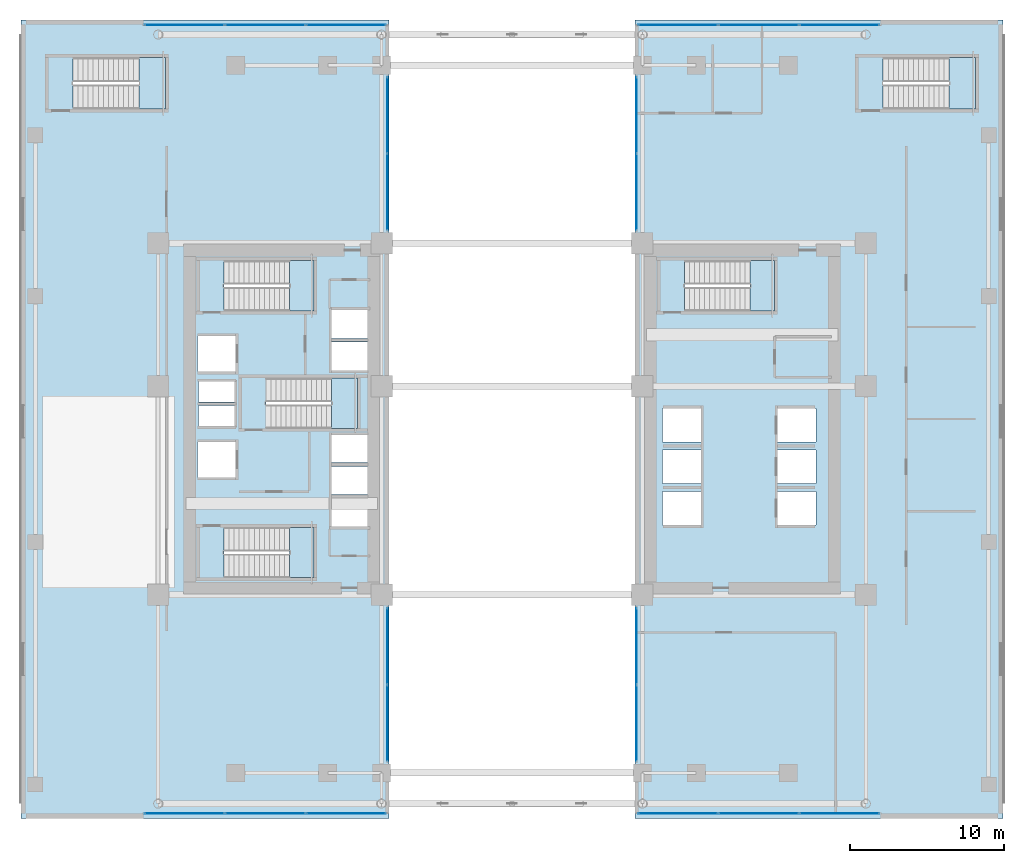
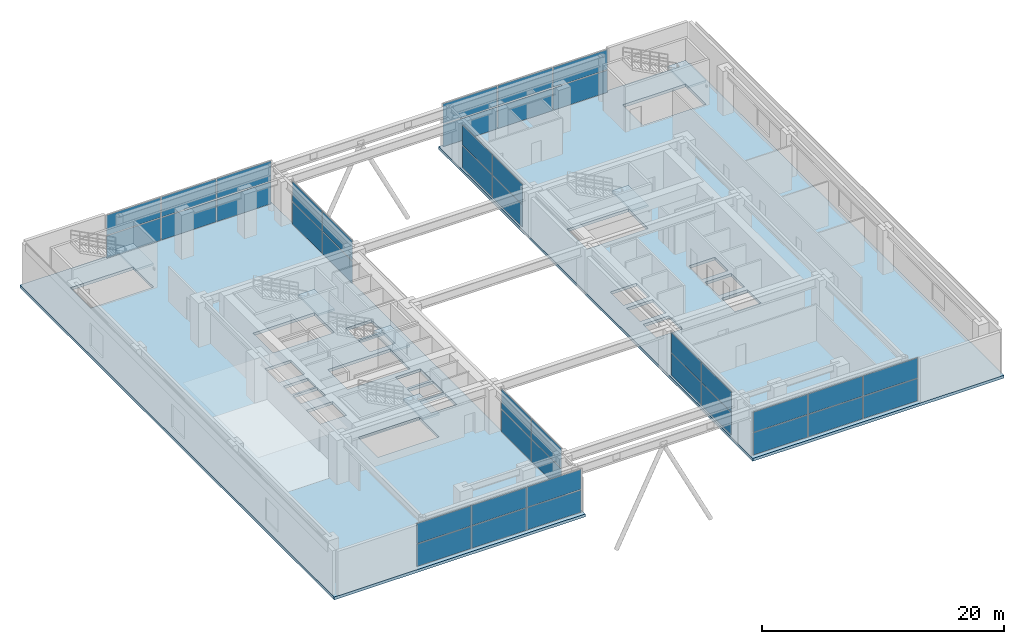
# One storey, part 20 of 30: 40 plates, 8 slabs, 14 elements without a shape of their own.
"""IFC4 building model written with IfcOpenShell, lengths in metres."""

from ifc_helpers import new_model, si_unit, direction, frame, origin, origin_2d, place, context, subcontext, project, spatial, polyline, rectangle, outline, extrude, source, transform, mapped, material, layer, layer_set, type_object, element, aggregate, save


model = new_model("IFC4")

# Units and contexts
model_context = context("Model", 3, precision=1e-05, world=origin(), true_north=direction((0.0, 1.0)))
body_context = subcontext(model_context, "Body", "Model", "MODEL_VIEW")
ifc_project = project(units=[si_unit("LENGTHUNIT", "METRE"), si_unit("AREAUNIT", "SQUARE_METRE"), si_unit("VOLUMEUNIT", "CUBIC_METRE"), si_unit("PLANEANGLEUNIT", "RADIAN"), si_unit("MASSUNIT", "GRAM", prefix="KILO")], contexts=[model_context])

# Site, building, storey
site_placement = place(None, origin())
site = spatial("IfcSite", under=ifc_project, at=site_placement, CompositionType="ELEMENT")
building_placement = place(site_placement, origin())
building = spatial("IfcBuilding", under=site, at=building_placement, Name="Ocotamira Hotel", CompositionType="ELEMENT")
storey_placement = place(building_placement, frame((0.0, 0.0, 19.199951171875)))
storey = spatial("IfcBuildingStorey", under=building, at=storey_placement, Name="L04", CompositionType="ELEMENT", Elevation=19.199951171875)

# Stair, slab
ifc_material_1 = material(Name="Concrete C40/50", Category="concrete")
stair_type_1 = type_object("IfcStairType", Name="ST-CORE-1560", PredefinedType="HALF_TURN_STAIR", material=ifc_material_1)
stair_1_placement = place(storey_placement, origin())
stair_1 = element("IfcStair", 1, at=stair_1_placement, inside=storey, type_object=stair_type_1, Name="L04 Exit Stair ST-1", PredefinedType="HALF_TURN_STAIR")
ifc_layer_1 = layer(ifc_material_1, 0.199951171875)
ifc_layer_set_1 = layer_set([ifc_layer_1], Name="Concrete C40/50")
slab_type_1 = type_object("IfcSlabType", Name="SLB-LAND-200", PredefinedType="LANDING", material=ifc_layer_set_1)
slab_1_placement = place(storey_placement, frame((0.0, 0.0, 2.199951171875)))
slab_1 = element("IfcSlab", 2, at=slab_1_placement, type_object=slab_type_1, Name="ST-1 landing 1", PredefinedType="LANDING", context=body_context, shape_type="SweptSolid", body=[
    extrude(outline(polyline([(17.52001953125, 15.669921875), (19.090087890625, 15.669921875), (19.090087890625, 18.949951171875), (17.52001953125, 18.949951171875), (17.52001953125, 15.669921875)])), origin(), (0.0, 0.0, 1.0), 0.2001953125),
])
aggregate(stair_1, [slab_1])

stair_2_placement = place(storey_placement, origin())
stair_2 = element("IfcStair", 3, at=stair_2_placement, inside=storey, type_object=stair_type_1, Name="L04 Exit Stair ST-2", PredefinedType="HALF_TURN_STAIR")
slab_2_placement = place(storey_placement, frame((0.0, 0.0, 2.199951171875)))
slab_2 = element("IfcSlab", 4, at=slab_2_placement, type_object=slab_type_1, Name="ST-2 landing 1", PredefinedType="LANDING", context=body_context, shape_type="SweptSolid", body=[
    extrude(outline(polyline([(17.52001953125, 33.050048828125), (19.090087890625, 33.050048828125), (19.090087890625, 36.330078125), (17.52001953125, 36.330078125), (17.52001953125, 33.050048828125)])), origin(), (0.0, 0.0, 1.0), 0.2001953125),
])
aggregate(stair_2, [slab_2])

stair_3_placement = place(storey_placement, origin())
stair_3 = element("IfcStair", 5, at=stair_3_placement, inside=storey, type_object=stair_type_1, Name="L04 Exit Stair ST-3", PredefinedType="HALF_TURN_STAIR")
slab_3_placement = place(storey_placement, frame((0.0, 0.0, 2.199951171875)))
slab_3 = element("IfcSlab", 6, at=slab_3_placement, type_object=slab_type_1, Name="ST-3 landing 1", PredefinedType="LANDING", context=body_context, shape_type="SweptSolid", body=[
    extrude(outline(polyline([(20.25, 25.39990234375), (21.919921875, 25.39990234375), (21.919921875, 28.679931640625), (20.25, 28.679931640625), (20.25, 25.39990234375)])), origin(), (0.0, 0.0, 1.0), 0.2001953125),
])
aggregate(stair_3, [slab_3])

stair_4_placement = place(storey_placement, origin())
stair_4 = element("IfcStair", 7, at=stair_4_placement, inside=storey, type_object=stair_type_1, Name="L04 Exit Stair ST-4", PredefinedType="HALF_TURN_STAIR")
slab_4_placement = place(storey_placement, frame((0.0, 0.0, 2.199951171875)))
slab_4 = element("IfcSlab", 8, at=slab_4_placement, type_object=slab_type_1, Name="ST-4 landing 1", PredefinedType="LANDING", context=body_context, shape_type="SweptSolid", body=[
    extrude(outline(polyline([(47.52001953125, 33.050048828125), (49.090087890625, 33.050048828125), (49.090087890625, 36.330078125), (47.52001953125, 36.330078125), (47.52001953125, 33.050048828125)])), origin(), (0.0, 0.0, 1.0), 0.2001953125),
])
aggregate(stair_4, [slab_4])

stair_type_2 = type_object("IfcStairType", Name="ST-POD-1600", PredefinedType="HALF_TURN_STAIR", material=ifc_material_1)
stair_5_placement = place(storey_placement, origin())
stair_5 = element("IfcStair", 9, at=stair_5_placement, inside=storey, type_object=stair_type_2, Name="L04 Exit Stair ST-5", PredefinedType="HALF_TURN_STAIR")
slab_5_placement = place(storey_placement, frame((0.0, 0.0, 2.199951171875)))
slab_5 = element("IfcSlab", 10, at=slab_5_placement, type_object=slab_type_1, Name="ST-5 landing 1", PredefinedType="LANDING", context=body_context, shape_type="SweptSolid", body=[
    extrude(outline(polyline([(7.68994140625, 46.199951171875), (9.419921875, 46.199951171875), (9.419921875, 49.56005859375), (7.68994140625, 49.56005859375), (7.68994140625, 46.199951171875)])), origin(), (0.0, 0.0, 1.0), 0.2001953125),
])
aggregate(stair_5, [slab_5])

stair_6_placement = place(storey_placement, origin())
stair_6 = element("IfcStair", 11, at=stair_6_placement, inside=storey, type_object=stair_type_2, Name="L04 Exit Stair ST-6", PredefinedType="HALF_TURN_STAIR")
slab_6_placement = place(storey_placement, frame((0.0, 0.0, 2.199951171875)))
slab_6 = element("IfcSlab", 12, at=slab_6_placement, type_object=slab_type_1, Name="ST-6 landing 1", PredefinedType="LANDING", context=body_context, shape_type="SweptSolid", body=[
    extrude(outline(polyline([(60.469970703125, 46.199951171875), (62.199951171875, 46.199951171875), (62.199951171875, 49.56005859375), (60.469970703125, 49.56005859375), (60.469970703125, 46.199951171875)])), origin(), (0.0, 0.0, 1.0), 0.2001953125),
])
aggregate(stair_6, [slab_6])

# Slabs
ifc_layer_2 = layer(ifc_material_1, 0.2900390625)
ifc_layer_set_2 = layer_set([ifc_layer_2], Name="Concrete C40/50")
slab_type_2 = type_object("IfcSlabType", Name="SLB-POD-290", PredefinedType="FLOOR", material=ifc_layer_set_2)
slab_7_placement = place(storey_placement, frame((0.0, 0.0, -0.2900390625)))
element("IfcSlab", 13, at=slab_7_placement, inside=storey, type_object=slab_type_2, Name="L04 Structural Floor Slab-P1", PredefinedType="FLOOR", context=body_context, shape_type="SweptSolid", body=[
    extrude(outline(polyline([(0.0, 0.0), (24.0, 0.0), (24.0, 52.0), (0.0, 52.0), (0.0, 0.0)]), holes=[polyline([(13.22998046875, 15.669921875), (19.090087890625, 15.669921875), (19.090087890625, 18.949951171875), (13.22998046875, 18.949951171875), (13.22998046875, 15.669921875)]), polyline([(13.22998046875, 33.050048828125), (19.090087890625, 33.050048828125), (19.090087890625, 36.330078125), (13.22998046875, 36.330078125), (13.22998046875, 33.050048828125)]), polyline([(15.9599609375, 25.39990234375), (21.919921875, 25.39990234375), (21.919921875, 28.679931640625), (15.9599609375, 28.679931640625), (15.9599609375, 25.39990234375)]), polyline([(3.39990234375, 46.199951171875), (9.419921875, 46.199951171875), (9.419921875, 49.56005859375), (3.39990234375, 49.56005859375), (3.39990234375, 46.199951171875)]), polyline([(20.25, 19.0), (22.659912109375, 19.0), (22.659912109375, 20.85009765625), (20.25, 20.85009765625), (20.25, 19.0)]), polyline([(20.25, 21.080078125), (22.659912109375, 21.080078125), (22.659912109375, 22.929931640625), (20.25, 22.929931640625), (20.25, 21.080078125)]), polyline([(20.25, 23.159912109375), (22.659912109375, 23.159912109375), (22.659912109375, 24.9599609375), (20.25, 24.9599609375), (20.25, 23.159912109375)]), polyline([(20.25, 29.179931640625), (22.659912109375, 29.179931640625), (22.659912109375, 31.030029296875), (20.25, 31.030029296875), (20.25, 29.179931640625)]), polyline([(20.25, 31.260009765625), (22.659912109375, 31.260009765625), (22.659912109375, 33.110107421875), (20.25, 33.110107421875), (20.25, 31.260009765625)]), polyline([(11.5, 22.199951171875), (14.0, 22.199951171875), (14.0, 24.5), (11.5, 24.5), (11.5, 22.199951171875)]), polyline([(11.5, 29.10009765625), (14.0, 29.10009765625), (14.0, 31.39990234375), (11.5, 31.39990234375), (11.5, 29.10009765625)]), polyline([(11.580078125, 25.550048828125), (13.919921875, 25.550048828125), (13.919921875, 26.89990234375), (11.580078125, 26.89990234375), (11.580078125, 25.550048828125)]), polyline([(11.580078125, 27.10009765625), (13.919921875, 27.10009765625), (13.919921875, 28.449951171875), (11.580078125, 28.449951171875), (11.580078125, 27.10009765625)])]), origin(), (0.0, 0.0, 1.0), 0.2900390625),
])
slab_8_placement = place(storey_placement, frame((0.0, 0.0, -0.2900390625)))
element("IfcSlab", 14, at=slab_8_placement, inside=storey, type_object=slab_type_2, Name="L04 Structural Floor Slab-P2", PredefinedType="FLOOR", context=body_context, shape_type="SweptSolid", body=[
    extrude(outline(polyline([(40.0, 0.0), (64.0, 0.0), (64.0, 52.0), (40.0, 52.0), (40.0, 0.0)]), holes=[polyline([(43.22998046875, 33.050048828125), (49.090087890625, 33.050048828125), (49.090087890625, 36.330078125), (43.22998046875, 36.330078125), (43.22998046875, 33.050048828125)]), polyline([(56.179931640625, 46.199951171875), (62.199951171875, 46.199951171875), (62.199951171875, 49.56005859375), (56.179931640625, 49.56005859375), (56.179931640625, 46.199951171875)]), polyline([(49.300048828125, 19.10009765625), (51.800048828125, 19.10009765625), (51.800048828125, 21.300048828125), (49.300048828125, 21.300048828125), (49.300048828125, 19.10009765625)]), polyline([(49.300048828125, 21.800048828125), (51.800048828125, 21.800048828125), (51.800048828125, 24.0), (49.300048828125, 24.0), (49.300048828125, 21.800048828125)]), polyline([(49.300048828125, 24.5), (51.800048828125, 24.5), (51.800048828125, 26.699951171875), (49.300048828125, 26.699951171875), (49.300048828125, 24.5)]), polyline([(41.800048828125, 19.10009765625), (44.300048828125, 19.10009765625), (44.300048828125, 21.300048828125), (41.800048828125, 21.300048828125), (41.800048828125, 19.10009765625)]), polyline([(41.800048828125, 21.800048828125), (44.300048828125, 21.800048828125), (44.300048828125, 24.0), (41.800048828125, 24.0), (41.800048828125, 21.800048828125)]), polyline([(41.800048828125, 24.5), (44.300048828125, 24.5), (44.300048828125, 26.699951171875), (41.800048828125, 26.699951171875), (41.800048828125, 24.5)])]), origin(), (0.0, 0.0, 1.0), 0.2900390625),
])

# Curtain wall, plates
ifc_material_2 = material(Name="Anodised pale-metal aluminium and solar glass", Category="aluminium")
ifc_layer_3 = layer(ifc_material_2, 0.219970703125)
ifc_layer_set_3 = layer_set([ifc_layer_3], Name="Anodised pale-metal aluminium and solar glass")
curtain_wall_type = type_object("IfcCurtainWallType", Name="CW-SYS1-POD", PredefinedType="NOTDEFINED", material=ifc_layer_set_3)
curtain_wall_1_placement = place(storey_placement, origin())
curtain_wall_1 = element("IfcCurtainWall", 15, at=curtain_wall_1_placement, inside=storey, type_object=curtain_wall_type, Name="L04 Curtain Wall CW-1 CW-L04-SE", PredefinedType="NOTDEFINED")
ifc_material_3 = material(Name="Double-silver low-E insulated solar glass", Category="glass")
ifc_layer_4 = layer(ifc_material_3, 0.031982421875)
ifc_layer_set_4 = layer_set([ifc_layer_4], Name="Double-silver low-E insulated solar glass")
plate_type = type_object("IfcPlateType", Name="CWP-VISION-32", PredefinedType="CURTAIN_PANEL", material=ifc_layer_set_4)
shared_shape_1 = source(origin(), body_context, "Body", "SweptSolid", [
    extrude(rectangle(XDim=5.163330078125, YDim=0.031982421875, at=origin_2d()), origin(), (0.0, 0.0, 1.0), 2.237548828125),
])
plate_1_placement = place(storey_placement, frame((42.811767578125, 0.320068359375, 0.0751953125), z_axis=(0.0, 0.0, 1.0), x_axis=(1.0, 0.0, 0.0)))
plate_1 = element("IfcPlate", 16, at=plate_1_placement, type_object=plate_type, Name="CW-1 panel 1.1", PredefinedType="CURTAIN_PANEL", context=body_context, shape_type="MappedRepresentation", body=[
    mapped(shared_shape_1, transform((0.0, 0.0, 0.0), scale=1.0)),
])
plate_2_placement = place(storey_placement, frame((53.33837890625, 0.320068359375, 0.0751953125), z_axis=(0.0, 0.0, 1.0), x_axis=(1.0, 0.0, 0.0)))
plate_2 = element("IfcPlate", 17, at=plate_2_placement, type_object=plate_type, Name="CW-1 panel 3.1", PredefinedType="CURTAIN_PANEL", context=body_context, shape_type="MappedRepresentation", body=[
    mapped(shared_shape_1, transform((0.0, 0.0, 0.0), scale=1.0)),
])

curtain_wall_2_placement = place(storey_placement, origin())
curtain_wall_2 = element("IfcCurtainWall", 18, at=curtain_wall_2_placement, inside=storey, type_object=curtain_wall_type, Name="L04 Curtain Wall CW-1 CW-L04-SW", PredefinedType="NOTDEFINED")
plate_3_placement = place(storey_placement, frame((10.66162109375, 0.320068359375, 0.0751953125), z_axis=(0.0, 0.0, 1.0), x_axis=(1.0, 0.0, 0.0)))
plate_3 = element("IfcPlate", 19, at=plate_3_placement, type_object=plate_type, Name="CW-1 panel 1.1", PredefinedType="CURTAIN_PANEL", context=body_context, shape_type="MappedRepresentation", body=[
    mapped(shared_shape_1, transform((0.0, 0.0, 0.0), scale=1.0)),
])
plate_4_placement = place(storey_placement, frame((21.188232421875, 0.320068359375, 0.0751953125), z_axis=(0.0, 0.0, 1.0), x_axis=(1.0, 0.0, 0.0)))
plate_4 = element("IfcPlate", 20, at=plate_4_placement, type_object=plate_type, Name="CW-1 panel 3.1", PredefinedType="CURTAIN_PANEL", context=body_context, shape_type="MappedRepresentation", body=[
    mapped(shared_shape_1, transform((0.0, 0.0, 0.0), scale=1.0)),
])

curtain_wall_3_placement = place(storey_placement, origin())
curtain_wall_3 = element("IfcCurtainWall", 21, at=curtain_wall_3_placement, inside=storey, type_object=curtain_wall_type, Name="L04 Curtain Wall CW-1 CW-L04-NE", PredefinedType="NOTDEFINED")
plate_5_placement = place(storey_placement, frame((42.811767578125, 51.679931640625, 0.0751953125), z_axis=(0.0, 0.0, 1.0), x_axis=(1.0, 0.0, 0.0)))
plate_5 = element("IfcPlate", 22, at=plate_5_placement, type_object=plate_type, Name="CW-1 panel 1.1", PredefinedType="CURTAIN_PANEL", context=body_context, shape_type="MappedRepresentation", body=[
    mapped(shared_shape_1, transform((0.0, 0.0, 0.0), scale=1.0)),
])
plate_6_placement = place(storey_placement, frame((53.33837890625, 51.679931640625, 0.0751953125), z_axis=(0.0, 0.0, 1.0), x_axis=(1.0, 0.0, 0.0)))
plate_6 = element("IfcPlate", 23, at=plate_6_placement, type_object=plate_type, Name="CW-1 panel 3.1", PredefinedType="CURTAIN_PANEL", context=body_context, shape_type="MappedRepresentation", body=[
    mapped(shared_shape_1, transform((0.0, 0.0, 0.0), scale=1.0)),
])

curtain_wall_4_placement = place(storey_placement, origin())
curtain_wall_4 = element("IfcCurtainWall", 24, at=curtain_wall_4_placement, inside=storey, type_object=curtain_wall_type, Name="L04 Curtain Wall CW-1 CW-L04-NW", PredefinedType="NOTDEFINED")
plate_7_placement = place(storey_placement, frame((10.66162109375, 51.679931640625, 0.0751953125), z_axis=(0.0, 0.0, 1.0), x_axis=(1.0, 0.0, 0.0)))
plate_7 = element("IfcPlate", 25, at=plate_7_placement, type_object=plate_type, Name="CW-1 panel 1.1", PredefinedType="CURTAIN_PANEL", context=body_context, shape_type="MappedRepresentation", body=[
    mapped(shared_shape_1, transform((0.0, 0.0, 0.0), scale=1.0)),
])
plate_8_placement = place(storey_placement, frame((21.188232421875, 51.679931640625, 0.0751953125), z_axis=(0.0, 0.0, 1.0), x_axis=(1.0, 0.0, 0.0)))
plate_8 = element("IfcPlate", 26, at=plate_8_placement, type_object=plate_type, Name="CW-1 panel 3.1", PredefinedType="CURTAIN_PANEL", context=body_context, shape_type="MappedRepresentation", body=[
    mapped(shared_shape_1, transform((0.0, 0.0, 0.0), scale=1.0)),
])

# Plate
shared_shape_2 = source(origin(), body_context, "Body", "SweptSolid", [
    extrude(rectangle(XDim=5.203369140625, YDim=0.031982421875, at=origin_2d()), origin(), (0.0, 0.0, 1.0), 2.237548828125),
])
plate_9_placement = place(storey_placement, frame((48.074951171875, 0.320068359375, 0.0751953125), z_axis=(0.0, 0.0, 1.0), x_axis=(1.0, 0.0, 0.0)))
plate_9 = element("IfcPlate", 27, at=plate_9_placement, type_object=plate_type, Name="CW-1 panel 2.1", PredefinedType="CURTAIN_PANEL", context=body_context, shape_type="MappedRepresentation", body=[
    mapped(shared_shape_2, transform((0.0, 0.0, 0.0), scale=1.0)),
])

plate_10_placement = place(storey_placement, frame((15.925048828125, 0.320068359375, 0.0751953125), z_axis=(0.0, 0.0, 1.0), x_axis=(1.0, 0.0, 0.0)))
plate_10 = element("IfcPlate", 28, at=plate_10_placement, type_object=plate_type, Name="CW-1 panel 2.1", PredefinedType="CURTAIN_PANEL", context=body_context, shape_type="MappedRepresentation", body=[
    mapped(shared_shape_2, transform((0.0, 0.0, 0.0), scale=1.0)),
])

plate_11_placement = place(storey_placement, frame((48.074951171875, 51.679931640625, 0.0751953125), z_axis=(0.0, 0.0, 1.0), x_axis=(1.0, 0.0, 0.0)))
plate_11 = element("IfcPlate", 29, at=plate_11_placement, type_object=plate_type, Name="CW-1 panel 2.1", PredefinedType="CURTAIN_PANEL", context=body_context, shape_type="MappedRepresentation", body=[
    mapped(shared_shape_2, transform((0.0, 0.0, 0.0), scale=1.0)),
])

plate_12_placement = place(storey_placement, frame((15.925048828125, 51.679931640625, 0.0751953125), z_axis=(0.0, 0.0, 1.0), x_axis=(1.0, 0.0, 0.0)))
plate_12 = element("IfcPlate", 30, at=plate_12_placement, type_object=plate_type, Name="CW-1 panel 2.1", PredefinedType="CURTAIN_PANEL", context=body_context, shape_type="MappedRepresentation", body=[
    mapped(shared_shape_2, transform((0.0, 0.0, 0.0), scale=1.0)),
])

# Curtain wall, plates
curtain_wall_5_placement = place(storey_placement, origin())
curtain_wall_5 = element("IfcCurtainWall", 31, at=curtain_wall_5_placement, inside=storey, type_object=curtain_wall_type, Name="L04 Curtain Wall CW-1 CW-L04-AW-S", PredefinedType="NOTDEFINED")
shared_shape_3 = source(origin(), body_context, "Body", "SweptSolid", [
    extrude(rectangle(XDim=4.929931640625, YDim=0.031982421875, at=origin_2d()), origin(), (0.0, 0.0, 1.0), 2.237548828125),
])
plate_13_placement = place(storey_placement, frame((23.8798828125, 6.195068359375, 0.0751953125), z_axis=(0.0, 0.0, 1.0), x_axis=(0.0, 1.0, 0.0)))
plate_13 = element("IfcPlate", 32, at=plate_13_placement, type_object=plate_type, Name="CW-1 panel 1.1", PredefinedType="CURTAIN_PANEL", context=body_context, shape_type="MappedRepresentation", body=[
    mapped(shared_shape_3, transform((0.0, 0.0, 0.0), scale=1.0)),
])
plate_14_placement = place(storey_placement, frame((23.8798828125, 11.205078125, 0.0751953125), z_axis=(0.0, 0.0, 1.0), x_axis=(0.0, 1.0, 0.0)))
plate_14 = element("IfcPlate", 33, at=plate_14_placement, type_object=plate_type, Name="CW-1 panel 2.1", PredefinedType="CURTAIN_PANEL", context=body_context, shape_type="MappedRepresentation", body=[
    mapped(shared_shape_3, transform((0.0, 0.0, 0.0), scale=1.0)),
])

curtain_wall_6_placement = place(storey_placement, origin())
curtain_wall_6 = element("IfcCurtainWall", 34, at=curtain_wall_6_placement, inside=storey, type_object=curtain_wall_type, Name="L04 Curtain Wall CW-1 CW-L04-AW-N", PredefinedType="NOTDEFINED")
plate_15_placement = place(storey_placement, frame((23.8798828125, 40.794921875, 0.0751953125), z_axis=(0.0, 0.0, 1.0), x_axis=(0.0, 1.0, 0.0)))
plate_15 = element("IfcPlate", 35, at=plate_15_placement, type_object=plate_type, Name="CW-1 panel 1.1", PredefinedType="CURTAIN_PANEL", context=body_context, shape_type="MappedRepresentation", body=[
    mapped(shared_shape_3, transform((0.0, 0.0, 0.0), scale=1.0)),
])
plate_16_placement = place(storey_placement, frame((23.8798828125, 45.804931640625, 0.0751953125), z_axis=(0.0, 0.0, 1.0), x_axis=(0.0, 1.0, 0.0)))
plate_16 = element("IfcPlate", 36, at=plate_16_placement, type_object=plate_type, Name="CW-1 panel 2.1", PredefinedType="CURTAIN_PANEL", context=body_context, shape_type="MappedRepresentation", body=[
    mapped(shared_shape_3, transform((0.0, 0.0, 0.0), scale=1.0)),
])

curtain_wall_7_placement = place(storey_placement, origin())
curtain_wall_7 = element("IfcCurtainWall", 37, at=curtain_wall_7_placement, inside=storey, type_object=curtain_wall_type, Name="L04 Curtain Wall CW-1 CW-L04-AE-S", PredefinedType="NOTDEFINED")
plate_17_placement = place(storey_placement, frame((40.1201171875, 6.195068359375, 0.0751953125), z_axis=(0.0, 0.0, 1.0), x_axis=(0.0, 1.0, 0.0)))
plate_17 = element("IfcPlate", 38, at=plate_17_placement, type_object=plate_type, Name="CW-1 panel 1.1", PredefinedType="CURTAIN_PANEL", context=body_context, shape_type="MappedRepresentation", body=[
    mapped(shared_shape_3, transform((0.0, 0.0, 0.0), scale=1.0)),
])
plate_18_placement = place(storey_placement, frame((40.1201171875, 11.205078125, 0.0751953125), z_axis=(0.0, 0.0, 1.0), x_axis=(0.0, 1.0, 0.0)))
plate_18 = element("IfcPlate", 39, at=plate_18_placement, type_object=plate_type, Name="CW-1 panel 2.1", PredefinedType="CURTAIN_PANEL", context=body_context, shape_type="MappedRepresentation", body=[
    mapped(shared_shape_3, transform((0.0, 0.0, 0.0), scale=1.0)),
])

curtain_wall_8_placement = place(storey_placement, origin())
curtain_wall_8 = element("IfcCurtainWall", 40, at=curtain_wall_8_placement, inside=storey, type_object=curtain_wall_type, Name="L04 Curtain Wall CW-1 CW-L04-AE-N", PredefinedType="NOTDEFINED")
plate_19_placement = place(storey_placement, frame((40.1201171875, 40.794921875, 0.0751953125), z_axis=(0.0, 0.0, 1.0), x_axis=(0.0, 1.0, 0.0)))
plate_19 = element("IfcPlate", 41, at=plate_19_placement, type_object=plate_type, Name="CW-1 panel 1.1", PredefinedType="CURTAIN_PANEL", context=body_context, shape_type="MappedRepresentation", body=[
    mapped(shared_shape_3, transform((0.0, 0.0, 0.0), scale=1.0)),
])
plate_20_placement = place(storey_placement, frame((40.1201171875, 45.804931640625, 0.0751953125), z_axis=(0.0, 0.0, 1.0), x_axis=(0.0, 1.0, 0.0)))
plate_20 = element("IfcPlate", 42, at=plate_20_placement, type_object=plate_type, Name="CW-1 panel 2.1", PredefinedType="CURTAIN_PANEL", context=body_context, shape_type="MappedRepresentation", body=[
    mapped(shared_shape_3, transform((0.0, 0.0, 0.0), scale=1.0)),
])

# Plate
shared_shape_4 = source(origin(), body_context, "Body", "SweptSolid", [
    extrude(rectangle(XDim=5.163330078125, YDim=0.031982421875, at=origin_2d()), origin(), (0.0, 0.0, 1.0), 2.017578125),
])
plate_21_placement = place(storey_placement, frame((42.811767578125, 0.320068359375, 2.387451171875), z_axis=(0.0, 0.0, 1.0), x_axis=(1.0, 0.0, 0.0)))
plate_21 = element("IfcPlate", 43, at=plate_21_placement, type_object=plate_type, Name="CW-1 panel 1.2", PredefinedType="CURTAIN_PANEL", context=body_context, shape_type="MappedRepresentation", body=[
    mapped(shared_shape_4, transform((0.0, 0.0, 0.0), scale=1.0)),
])

plate_22_placement = place(storey_placement, frame((53.33837890625, 0.320068359375, 2.387451171875), z_axis=(0.0, 0.0, 1.0), x_axis=(1.0, 0.0, 0.0)))
plate_22 = element("IfcPlate", 44, at=plate_22_placement, type_object=plate_type, Name="CW-1 panel 3.2", PredefinedType="CURTAIN_PANEL", context=body_context, shape_type="MappedRepresentation", body=[
    mapped(shared_shape_4, transform((0.0, 0.0, 0.0), scale=1.0)),
])

plate_23_placement = place(storey_placement, frame((10.66162109375, 0.320068359375, 2.387451171875), z_axis=(0.0, 0.0, 1.0), x_axis=(1.0, 0.0, 0.0)))
plate_23 = element("IfcPlate", 45, at=plate_23_placement, type_object=plate_type, Name="CW-1 panel 1.2", PredefinedType="CURTAIN_PANEL", context=body_context, shape_type="MappedRepresentation", body=[
    mapped(shared_shape_4, transform((0.0, 0.0, 0.0), scale=1.0)),
])

plate_24_placement = place(storey_placement, frame((21.188232421875, 0.320068359375, 2.387451171875), z_axis=(0.0, 0.0, 1.0), x_axis=(1.0, 0.0, 0.0)))
plate_24 = element("IfcPlate", 46, at=plate_24_placement, type_object=plate_type, Name="CW-1 panel 3.2", PredefinedType="CURTAIN_PANEL", context=body_context, shape_type="MappedRepresentation", body=[
    mapped(shared_shape_4, transform((0.0, 0.0, 0.0), scale=1.0)),
])

plate_25_placement = place(storey_placement, frame((42.811767578125, 51.679931640625, 2.387451171875), z_axis=(0.0, 0.0, 1.0), x_axis=(1.0, 0.0, 0.0)))
plate_25 = element("IfcPlate", 47, at=plate_25_placement, type_object=plate_type, Name="CW-1 panel 1.2", PredefinedType="CURTAIN_PANEL", context=body_context, shape_type="MappedRepresentation", body=[
    mapped(shared_shape_4, transform((0.0, 0.0, 0.0), scale=1.0)),
])

plate_26_placement = place(storey_placement, frame((53.33837890625, 51.679931640625, 2.387451171875), z_axis=(0.0, 0.0, 1.0), x_axis=(1.0, 0.0, 0.0)))
plate_26 = element("IfcPlate", 48, at=plate_26_placement, type_object=plate_type, Name="CW-1 panel 3.2", PredefinedType="CURTAIN_PANEL", context=body_context, shape_type="MappedRepresentation", body=[
    mapped(shared_shape_4, transform((0.0, 0.0, 0.0), scale=1.0)),
])

plate_27_placement = place(storey_placement, frame((10.66162109375, 51.679931640625, 2.387451171875), z_axis=(0.0, 0.0, 1.0), x_axis=(1.0, 0.0, 0.0)))
plate_27 = element("IfcPlate", 49, at=plate_27_placement, type_object=plate_type, Name="CW-1 panel 1.2", PredefinedType="CURTAIN_PANEL", context=body_context, shape_type="MappedRepresentation", body=[
    mapped(shared_shape_4, transform((0.0, 0.0, 0.0), scale=1.0)),
])

plate_28_placement = place(storey_placement, frame((21.188232421875, 51.679931640625, 2.387451171875), z_axis=(0.0, 0.0, 1.0), x_axis=(1.0, 0.0, 0.0)))
plate_28 = element("IfcPlate", 50, at=plate_28_placement, type_object=plate_type, Name="CW-1 panel 3.2", PredefinedType="CURTAIN_PANEL", context=body_context, shape_type="MappedRepresentation", body=[
    mapped(shared_shape_4, transform((0.0, 0.0, 0.0), scale=1.0)),
])

shared_shape_5 = source(origin(), body_context, "Body", "SweptSolid", [
    extrude(rectangle(XDim=5.203369140625, YDim=0.031982421875, at=origin_2d()), origin(), (0.0, 0.0, 1.0), 2.017578125),
])
plate_29_placement = place(storey_placement, frame((48.074951171875, 0.320068359375, 2.387451171875), z_axis=(0.0, 0.0, 1.0), x_axis=(1.0, 0.0, 0.0)))
plate_29 = element("IfcPlate", 51, at=plate_29_placement, type_object=plate_type, Name="CW-1 panel 2.2", PredefinedType="CURTAIN_PANEL", context=body_context, shape_type="MappedRepresentation", body=[
    mapped(shared_shape_5, transform((0.0, 0.0, 0.0), scale=1.0)),
])

aggregate(curtain_wall_1, [plate_1, plate_21, plate_9, plate_29, plate_2, plate_22])

plate_30_placement = place(storey_placement, frame((15.925048828125, 0.320068359375, 2.387451171875), z_axis=(0.0, 0.0, 1.0), x_axis=(1.0, 0.0, 0.0)))
plate_30 = element("IfcPlate", 52, at=plate_30_placement, type_object=plate_type, Name="CW-1 panel 2.2", PredefinedType="CURTAIN_PANEL", context=body_context, shape_type="MappedRepresentation", body=[
    mapped(shared_shape_5, transform((0.0, 0.0, 0.0), scale=1.0)),
])

aggregate(curtain_wall_2, [plate_3, plate_23, plate_10, plate_30, plate_4, plate_24])

plate_31_placement = place(storey_placement, frame((48.074951171875, 51.679931640625, 2.387451171875), z_axis=(0.0, 0.0, 1.0), x_axis=(1.0, 0.0, 0.0)))
plate_31 = element("IfcPlate", 53, at=plate_31_placement, type_object=plate_type, Name="CW-1 panel 2.2", PredefinedType="CURTAIN_PANEL", context=body_context, shape_type="MappedRepresentation", body=[
    mapped(shared_shape_5, transform((0.0, 0.0, 0.0), scale=1.0)),
])

aggregate(curtain_wall_3, [plate_5, plate_25, plate_11, plate_31, plate_6, plate_26])

plate_32_placement = place(storey_placement, frame((15.925048828125, 51.679931640625, 2.387451171875), z_axis=(0.0, 0.0, 1.0), x_axis=(1.0, 0.0, 0.0)))
plate_32 = element("IfcPlate", 54, at=plate_32_placement, type_object=plate_type, Name="CW-1 panel 2.2", PredefinedType="CURTAIN_PANEL", context=body_context, shape_type="MappedRepresentation", body=[
    mapped(shared_shape_5, transform((0.0, 0.0, 0.0), scale=1.0)),
])

aggregate(curtain_wall_4, [plate_7, plate_27, plate_12, plate_32, plate_8, plate_28])

shared_shape_6 = source(origin(), body_context, "Body", "SweptSolid", [
    extrude(rectangle(XDim=4.929931640625, YDim=0.031982421875, at=origin_2d()), origin(), (0.0, 0.0, 1.0), 2.017578125),
])
plate_33_placement = place(storey_placement, frame((23.8798828125, 6.195068359375, 2.387451171875), z_axis=(0.0, 0.0, 1.0), x_axis=(0.0, 1.0, 0.0)))
plate_33 = element("IfcPlate", 55, at=plate_33_placement, type_object=plate_type, Name="CW-1 panel 1.2", PredefinedType="CURTAIN_PANEL", context=body_context, shape_type="MappedRepresentation", body=[
    mapped(shared_shape_6, transform((0.0, 0.0, 0.0), scale=1.0)),
])

plate_34_placement = place(storey_placement, frame((23.8798828125, 11.205078125, 2.387451171875), z_axis=(0.0, 0.0, 1.0), x_axis=(0.0, 1.0, 0.0)))
plate_34 = element("IfcPlate", 56, at=plate_34_placement, type_object=plate_type, Name="CW-1 panel 2.2", PredefinedType="CURTAIN_PANEL", context=body_context, shape_type="MappedRepresentation", body=[
    mapped(shared_shape_6, transform((0.0, 0.0, 0.0), scale=1.0)),
])

aggregate(curtain_wall_5, [plate_13, plate_33, plate_14, plate_34])

plate_35_placement = place(storey_placement, frame((23.8798828125, 40.794921875, 2.387451171875), z_axis=(0.0, 0.0, 1.0), x_axis=(0.0, 1.0, 0.0)))
plate_35 = element("IfcPlate", 57, at=plate_35_placement, type_object=plate_type, Name="CW-1 panel 1.2", PredefinedType="CURTAIN_PANEL", context=body_context, shape_type="MappedRepresentation", body=[
    mapped(shared_shape_6, transform((0.0, 0.0, 0.0), scale=1.0)),
])

plate_36_placement = place(storey_placement, frame((23.8798828125, 45.804931640625, 2.387451171875), z_axis=(0.0, 0.0, 1.0), x_axis=(0.0, 1.0, 0.0)))
plate_36 = element("IfcPlate", 58, at=plate_36_placement, type_object=plate_type, Name="CW-1 panel 2.2", PredefinedType="CURTAIN_PANEL", context=body_context, shape_type="MappedRepresentation", body=[
    mapped(shared_shape_6, transform((0.0, 0.0, 0.0), scale=1.0)),
])

aggregate(curtain_wall_6, [plate_15, plate_35, plate_16, plate_36])

plate_37_placement = place(storey_placement, frame((40.1201171875, 6.195068359375, 2.387451171875), z_axis=(0.0, 0.0, 1.0), x_axis=(0.0, 1.0, 0.0)))
plate_37 = element("IfcPlate", 59, at=plate_37_placement, type_object=plate_type, Name="CW-1 panel 1.2", PredefinedType="CURTAIN_PANEL", context=body_context, shape_type="MappedRepresentation", body=[
    mapped(shared_shape_6, transform((0.0, 0.0, 0.0), scale=1.0)),
])

plate_38_placement = place(storey_placement, frame((40.1201171875, 11.205078125, 2.387451171875), z_axis=(0.0, 0.0, 1.0), x_axis=(0.0, 1.0, 0.0)))
plate_38 = element("IfcPlate", 60, at=plate_38_placement, type_object=plate_type, Name="CW-1 panel 2.2", PredefinedType="CURTAIN_PANEL", context=body_context, shape_type="MappedRepresentation", body=[
    mapped(shared_shape_6, transform((0.0, 0.0, 0.0), scale=1.0)),
])

aggregate(curtain_wall_7, [plate_17, plate_37, plate_18, plate_38])

plate_39_placement = place(storey_placement, frame((40.1201171875, 40.794921875, 2.387451171875), z_axis=(0.0, 0.0, 1.0), x_axis=(0.0, 1.0, 0.0)))
plate_39 = element("IfcPlate", 61, at=plate_39_placement, type_object=plate_type, Name="CW-1 panel 1.2", PredefinedType="CURTAIN_PANEL", context=body_context, shape_type="MappedRepresentation", body=[
    mapped(shared_shape_6, transform((0.0, 0.0, 0.0), scale=1.0)),
])

plate_40_placement = place(storey_placement, frame((40.1201171875, 45.804931640625, 2.387451171875), z_axis=(0.0, 0.0, 1.0), x_axis=(0.0, 1.0, 0.0)))
plate_40 = element("IfcPlate", 62, at=plate_40_placement, type_object=plate_type, Name="CW-1 panel 2.2", PredefinedType="CURTAIN_PANEL", context=body_context, shape_type="MappedRepresentation", body=[
    mapped(shared_shape_6, transform((0.0, 0.0, 0.0), scale=1.0)),
])

aggregate(curtain_wall_8, [plate_19, plate_39, plate_20, plate_40])

save(model, "model.ifc")
